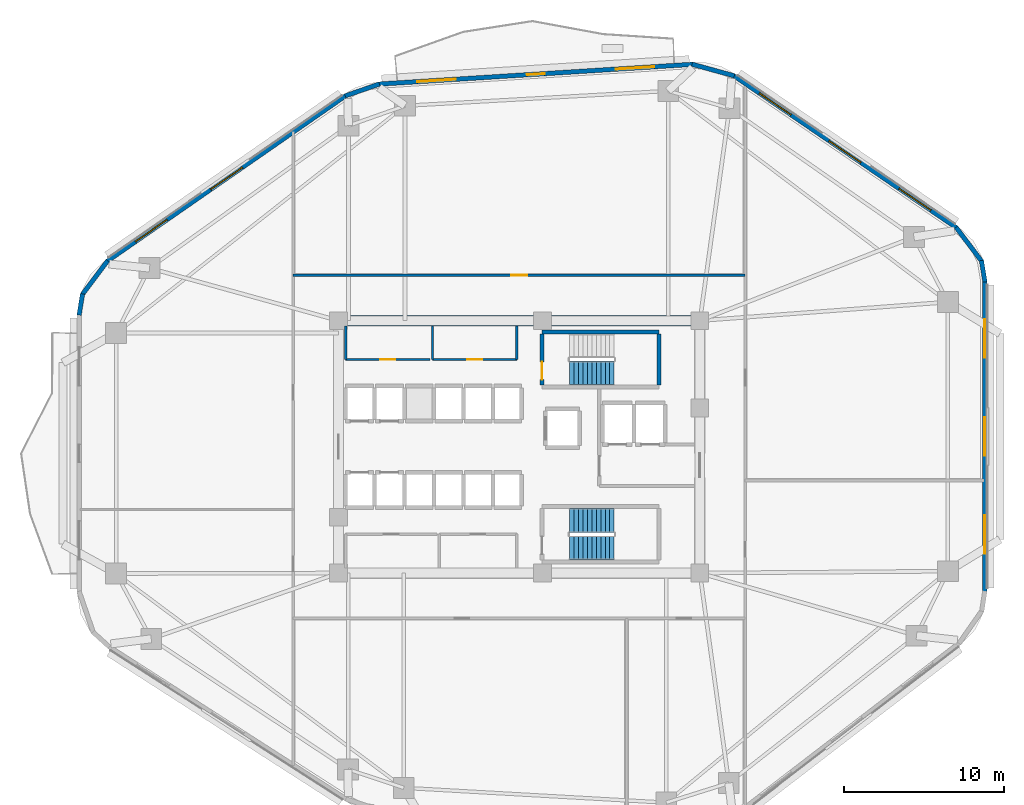
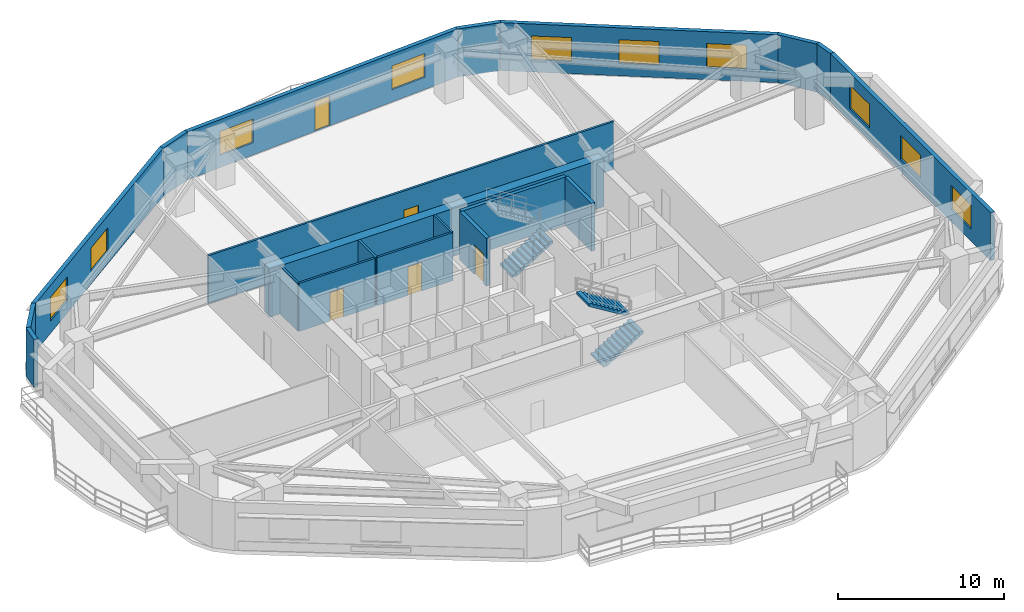
# One storey, part 5 of 11: 20 walls, 10 windows, 5 doors, 3 stair flights, 15 openings, 2 elements without a shape of their own.
"""IFC4 building model written with IfcOpenShell, lengths in metres."""

from ifc_helpers import new_model, si_unit, direction, frame, frame_2d, origin, place, context, subcontext, project, spatial, polyline, rectangle, outline, extrude, material, layer, layer_set, type_object, element, fill, aggregate, save


model = new_model("IFC4")

# Units and contexts
model_context = context("Model", 3, precision=1e-05, world=origin(), true_north=direction((0.0, 1.0)))
body_context = subcontext(model_context, "Body", "Model", "MODEL_VIEW")
ifc_project = project(units=[si_unit("LENGTHUNIT", "METRE"), si_unit("AREAUNIT", "SQUARE_METRE"), si_unit("VOLUMEUNIT", "CUBIC_METRE"), si_unit("PLANEANGLEUNIT", "RADIAN"), si_unit("MASSUNIT", "GRAM", prefix="KILO")], contexts=[model_context])

# Site, building, storey
site_placement = place(None, origin())
site = spatial("IfcSite", under=ifc_project, at=site_placement, CompositionType="ELEMENT")
building_placement = place(site_placement, origin())
building = spatial("IfcBuilding", under=site, at=building_placement, Name="Zulverin Broadcast Headquarters", CompositionType="ELEMENT")
storey_placement = place(building_placement, frame((0.0, 0.0, 28.800048828125)))
storey = spatial("IfcBuildingStorey", under=building, at=storey_placement, Name="L06", CompositionType="ELEMENT", Elevation=28.800048828125)

# Wall
ifc_material_1 = material(Name="Concrete C60/75", Category="concrete")
ifc_layer_1 = layer(ifc_material_1, 0.64990234375, Name="Concrete C60/75", Category="concrete")
ifc_layer_set_1 = layer_set([ifc_layer_1], Name="Concrete C60/75")
wall_type_1 = type_object("IfcWallType", Name="WL-CORE-650", PredefinedType="SHEAR", material=ifc_layer_set_1)
wall_1_placement = place(storey_placement, frame((25.39990234375, 33.074951171875, 0.0), z_axis=(0.0, 0.0, 1.0), x_axis=(1.0, 0.0, 0.0)))
element("IfcWall", 1, at=wall_1_placement, inside=storey, type_object=wall_type_1, Name="L06 Core North Shear Wall", PredefinedType="SHEAR", context=body_context, shape_type="SweptSolid", body=[
    extrude(rectangle(XDim=23.2001953125, YDim=0.64990234375, at=frame_2d((11.60009765625, 0.0))), origin(), (0.0, 0.0, 1.0), 3.52490234375),
])

# Wall, openings, windows
ifc_material_2 = material(Name="Insulated pale-metal clad concrete spandrel C40/50", Category="concrete")
ifc_layer_2 = layer(ifc_material_2, 0.280029296875, Name="Insulated pale-metal clad concrete spandrel C40/50", Category="concrete")
ifc_layer_set_2 = layer_set([ifc_layer_2], Name="Insulated pale-metal clad concrete spandrel C40/50")
wall_type_2 = type_object("IfcWallType", Name="WL-EXT-280", PredefinedType="STANDARD", material=ifc_layer_set_2)
wall_2_placement = place(storey_placement, frame((66.06005859375, 16.183349609375, 0.0), z_axis=(0.0, 0.0, 1.0), x_axis=(0.0, 1.0, 0.0)))
wall_2 = element("IfcWall", 2, at=wall_2_placement, inside=storey, type_object=wall_type_2, Name="L06 Pale-Metal Clad Spandrel Wall 3", PredefinedType="STANDARD", context=body_context, shape_type="SweptSolid", body=[
    extrude(rectangle(XDim=19.3310546875, YDim=0.280029296875, at=frame_2d((9.66552734375, 0.0))), origin(), (0.0, 0.0, 1.0), 3.52490234375),
])
opening_1_placement = place(wall_2_placement, frame((2.355224609375, 0.0, 0.89990234375)))
opening_1 = element("IfcOpeningElement", 3, at=opening_1_placement, cuts=wall_2, Name="Opening W-L06-E31", PredefinedType="OPENING", context=body_context, shape_type="SweptSolid", body=[
    extrude(rectangle(XDim=2.39990234375, YDim=1.75, at=frame_2d((1.199951171875, 0.875))), frame((0.0, 0.14990234375, 0.0), z_axis=(0.0, -1.0, 0.0), x_axis=(1.0, 0.0, 0.0)), (0.0, 0.0, 1.0), 0.300048828125),
])
opening_2_placement = place(wall_2_placement, frame((8.465576171875, 0.0, 0.89990234375)))
opening_2 = element("IfcOpeningElement", 4, at=opening_2_placement, cuts=wall_2, Name="Opening W-L06-E32", PredefinedType="OPENING", context=body_context, shape_type="SweptSolid", body=[
    extrude(rectangle(XDim=2.39990234375, YDim=1.75, at=frame_2d((1.199951171875, 0.875))), frame((0.0, 0.14990234375, 0.0), z_axis=(0.0, -1.0, 0.0), x_axis=(1.0, 0.0, 0.0)), (0.0, 0.0, 1.0), 0.300048828125),
])
opening_3_placement = place(wall_2_placement, frame((14.575927734375, 0.0, 0.89990234375)))
opening_3 = element("IfcOpeningElement", 5, at=opening_3_placement, cuts=wall_2, Name="Opening W-L06-E33", PredefinedType="OPENING", context=body_context, shape_type="SweptSolid", body=[
    extrude(rectangle(XDim=2.39990234375, YDim=1.75, at=frame_2d((1.199951171875, 0.875))), frame((0.0, 0.14990234375, 0.0), z_axis=(0.0, -1.0, 0.0), x_axis=(1.0, 0.0, 0.0)), (0.0, 0.0, 1.0), 0.300048828125),
])
ifc_material_3 = material(Name="Pale anodized aluminium frame with solar-control low-E double glazing", Category="aluminium")
window_type = type_object("IfcWindowType", Name="WIN-RIB-2400", PartitioningType="SINGLE_PANEL", PredefinedType="WINDOW", material=ifc_material_3)
window_1_placement = place(opening_1_placement, origin())
window_1 = element("IfcWindow", 6, at=window_1_placement, inside=storey, type_object=window_type, Name="L06 Ribbon Glazing Window 3 1", OverallHeight=1.75, OverallWidth=2.39990234375, PartitioningType="SINGLE_PANEL", PredefinedType="WINDOW", context=body_context, shape_type="SweptSolid", body=[
    extrude(rectangle(XDim=2.39990234375, YDim=1.75, at=frame_2d((1.199951171875, 0.875))), frame((0.0, 0.030029296875, 0.0), z_axis=(0.0, -1.0, 0.0), x_axis=(1.0, 0.0, 0.0)), (0.0, 0.0, 1.0), 0.06005859375),
])
fill(opening_1, window_1)
window_2_placement = place(opening_2_placement, origin())
window_2 = element("IfcWindow", 7, at=window_2_placement, inside=storey, type_object=window_type, Name="L06 Ribbon Glazing Window 3 2", OverallHeight=1.75, OverallWidth=2.39990234375, PartitioningType="SINGLE_PANEL", PredefinedType="WINDOW", context=body_context, shape_type="SweptSolid", body=[
    extrude(rectangle(XDim=2.39990234375, YDim=1.75, at=frame_2d((1.199951171875, 0.875))), frame((0.0, 0.030029296875, 0.0), z_axis=(0.0, -1.0, 0.0), x_axis=(1.0, 0.0, 0.0)), (0.0, 0.0, 1.0), 0.06005859375),
])
fill(opening_2, window_2)
window_3_placement = place(opening_3_placement, origin())
window_3 = element("IfcWindow", 8, at=window_3_placement, inside=storey, type_object=window_type, Name="L06 Ribbon Glazing Window 3 3", OverallHeight=1.75, OverallWidth=2.39990234375, PartitioningType="SINGLE_PANEL", PredefinedType="WINDOW", context=body_context, shape_type="SweptSolid", body=[
    extrude(rectangle(XDim=2.39990234375, YDim=1.75, at=frame_2d((1.199951171875, 0.875))), frame((0.0, 0.030029296875, 0.0), z_axis=(0.0, -1.0, 0.0), x_axis=(1.0, 0.0, 0.0)), (0.0, 0.0, 1.0), 0.06005859375),
])
fill(opening_3, window_3)

wall_3_placement = place(storey_placement, frame((64.289794921875, 38.8671875, 0.0), z_axis=(0.0, 0.0, 1.0), x_axis=(-0.825755550159, 0.564028165416, 0.0)))
wall_3 = element("IfcWall", 9, at=wall_3_placement, inside=storey, type_object=wall_type_2, Name="L06 Pale-Metal Clad Spandrel Wall 4", PredefinedType="STANDARD", context=body_context, shape_type="SweptSolid", body=[
    extrude(rectangle(XDim=16.848388671875, YDim=0.280029296875, at=frame_2d((8.42431640625, 0.0))), origin(), (0.0, 0.0, 1.0), 3.52490234375),
])
opening_4_placement = place(wall_3_placement, frame((1.94140625, 0.0, 0.89990234375)))
opening_4 = element("IfcOpeningElement", 10, at=opening_4_placement, cuts=wall_3, Name="Opening W-L06-E41", PredefinedType="OPENING", context=body_context, shape_type="SweptSolid", body=[
    extrude(rectangle(XDim=2.39990234375, YDim=1.75, at=frame_2d((1.199951171875, 0.875))), frame((0.0, 0.14990234375, 0.0), z_axis=(0.0, -1.0, 0.0), x_axis=(1.0, 0.0, 0.0)), (0.0, 0.0, 1.0), 0.300048828125),
])
opening_5_placement = place(wall_3_placement, frame((7.22412109375, 0.0, 0.89990234375)))
opening_5 = element("IfcOpeningElement", 11, at=opening_5_placement, cuts=wall_3, Name="Opening W-L06-E42", PredefinedType="OPENING", context=body_context, shape_type="SweptSolid", body=[
    extrude(rectangle(XDim=2.39990234375, YDim=1.75, at=frame_2d((1.199951171875, 0.875))), frame((0.0, 0.14990234375, 0.0), z_axis=(0.0, -1.0, 0.0), x_axis=(1.0, 0.0, 0.0)), (0.0, 0.0, 1.0), 0.300048828125),
])
opening_6_placement = place(wall_3_placement, frame((12.5068359375, 0.0, 0.89990234375)))
opening_6 = element("IfcOpeningElement", 12, at=opening_6_placement, cuts=wall_3, Name="Opening W-L06-E43", PredefinedType="OPENING", context=body_context, shape_type="SweptSolid", body=[
    extrude(rectangle(XDim=2.39990234375, YDim=1.75, at=frame_2d((1.199951171875, 0.875))), frame((0.0, 0.14990234375, 0.0), z_axis=(0.0, -1.0, 0.0), x_axis=(1.0, 0.0, 0.0)), (0.0, 0.0, 1.0), 0.300048828125),
])
window_4_placement = place(opening_4_placement, origin())
window_4 = element("IfcWindow", 13, at=window_4_placement, inside=storey, type_object=window_type, Name="L06 Ribbon Glazing Window 4 1", OverallHeight=1.75, OverallWidth=2.39990234375, PartitioningType="SINGLE_PANEL", PredefinedType="WINDOW", context=body_context, shape_type="SweptSolid", body=[
    extrude(rectangle(XDim=2.39990234375, YDim=1.75, at=frame_2d((1.199951171875, 0.875))), frame((0.0, 0.030029296875, 0.0), z_axis=(0.0, -1.0, 0.0), x_axis=(1.0, 0.0, 0.0)), (0.0, 0.0, 1.0), 0.06005859375),
])
fill(opening_4, window_4)
window_5_placement = place(opening_5_placement, origin())
window_5 = element("IfcWindow", 14, at=window_5_placement, inside=storey, type_object=window_type, Name="L06 Ribbon Glazing Window 4 2", OverallHeight=1.75, OverallWidth=2.39990234375, PartitioningType="SINGLE_PANEL", PredefinedType="WINDOW", context=body_context, shape_type="SweptSolid", body=[
    extrude(rectangle(XDim=2.39990234375, YDim=1.75, at=frame_2d((1.199951171875, 0.875))), frame((0.0, 0.030029296875, 0.0), z_axis=(0.0, -1.0, 0.0), x_axis=(1.0, 0.0, 0.0)), (0.0, 0.0, 1.0), 0.06005859375),
])
fill(opening_5, window_5)
window_6_placement = place(opening_6_placement, origin())
window_6 = element("IfcWindow", 15, at=window_6_placement, inside=storey, type_object=window_type, Name="L06 Ribbon Glazing Window 4 3", OverallHeight=1.75, OverallWidth=2.39990234375, PartitioningType="SINGLE_PANEL", PredefinedType="WINDOW", context=body_context, shape_type="SweptSolid", body=[
    extrude(rectangle(XDim=2.39990234375, YDim=1.75, at=frame_2d((1.199951171875, 0.875))), frame((0.0, 0.030029296875, 0.0), z_axis=(0.0, -1.0, 0.0), x_axis=(1.0, 0.0, 0.0)), (0.0, 0.0, 1.0), 0.06005859375),
])
fill(opening_6, window_6)

# Wall, openings, door, windows
wall_4_placement = place(storey_placement, frame((47.831787109375, 49.0693359375, 0.0), z_axis=(0.0, 0.0, 1.0), x_axis=(-0.998017725054, -0.062933460723, 0.0)))
wall_4 = element("IfcWall", 16, at=wall_4_placement, inside=storey, type_object=wall_type_2, Name="L06 Pale-Metal Clad Spandrel Wall 5", PredefinedType="STANDARD", context=body_context, shape_type="SweptSolid", body=[
    extrude(rectangle(XDim=19.62939453125, YDim=0.280029296875, at=frame_2d((9.814697265625, 0.0))), origin(), (0.0, 0.0, 1.0), 3.52490234375),
])
opening_7_placement = place(wall_4_placement, frame((9.264892578125, 0.0, 0.0)))
opening_7 = element("IfcOpeningElement", 17, at=opening_7_placement, cuts=wall_4, Name="Opening D-L06-TR5", PredefinedType="OPENING", context=body_context, shape_type="SweptSolid", body=[
    extrude(rectangle(XDim=1.10009765625, YDim=2.199951171875, at=frame_2d((0.550048828125, 1.10009765625))), frame((0.0, 0.14990234375, 0.0), z_axis=(0.0, -1.0, 0.0), x_axis=(1.0, 0.0, 0.0)), (0.0, 0.0, 1.0), 0.300048828125),
])
opening_8_placement = place(wall_4_placement, frame((2.40478515625, 0.0, 0.89990234375)))
opening_8 = element("IfcOpeningElement", 18, at=opening_8_placement, cuts=wall_4, Name="Opening W-L06-E51", PredefinedType="OPENING", context=body_context, shape_type="SweptSolid", body=[
    extrude(rectangle(XDim=2.39990234375, YDim=1.75, at=frame_2d((1.199951171875, 0.875))), frame((0.0, 0.14990234375, 0.0), z_axis=(0.0, -1.0, 0.0), x_axis=(1.0, 0.0, 0.0)), (0.0, 0.0, 1.0), 0.300048828125),
])
opening_9_placement = place(wall_4_placement, frame((14.82470703125, 0.0, 0.89990234375)))
opening_9 = element("IfcOpeningElement", 19, at=opening_9_placement, cuts=wall_4, Name="Opening W-L06-E52", PredefinedType="OPENING", context=body_context, shape_type="SweptSolid", body=[
    extrude(rectangle(XDim=2.39990234375, YDim=1.75, at=frame_2d((1.199951171875, 0.875))), frame((0.0, 0.14990234375, 0.0), z_axis=(0.0, -1.0, 0.0), x_axis=(1.0, 0.0, 0.0)), (0.0, 0.0, 1.0), 0.300048828125),
])
ifc_material_4 = material(Name="Thermally broken aluminium glazed", Category="aluminium")
door_type_1 = type_object("IfcDoorType", Name="DR-TERR-1100", OperationType="SINGLE_SWING_RIGHT", PredefinedType="DOOR", material=ifc_material_4)
door_1_placement = place(opening_7_placement, origin())
door_1 = element("IfcDoor", 20, at=door_1_placement, inside=storey, type_object=door_type_1, Name="L06 Planted Terrace Glazed Access Door 5", OperationType="SINGLE_SWING_RIGHT", OverallHeight=2.199951171875, OverallWidth=1.10009765625, PredefinedType="DOOR", context=body_context, shape_type="SweptSolid", body=[
    extrude(rectangle(XDim=1.10009765625, YDim=2.199951171875, at=frame_2d((0.550048828125, 1.10009765625))), frame((0.0, 0.02490234375, 0.0), z_axis=(0.0, -1.0, 0.0), x_axis=(1.0, 0.0, 0.0)), (0.0, 0.0, 1.0), 0.050048828125),
])
fill(opening_7, door_1)
window_7_placement = place(opening_8_placement, origin())
window_7 = element("IfcWindow", 21, at=window_7_placement, inside=storey, type_object=window_type, Name="L06 Ribbon Glazing Window 5 1", OverallHeight=1.75, OverallWidth=2.39990234375, PartitioningType="SINGLE_PANEL", PredefinedType="WINDOW", context=body_context, shape_type="SweptSolid", body=[
    extrude(rectangle(XDim=2.39990234375, YDim=1.75, at=frame_2d((1.199951171875, 0.875))), frame((0.0, 0.030029296875, 0.0), z_axis=(0.0, -1.0, 0.0), x_axis=(1.0, 0.0, 0.0)), (0.0, 0.0, 1.0), 0.06005859375),
])
fill(opening_8, window_7)
window_8_placement = place(opening_9_placement, origin())
window_8 = element("IfcWindow", 22, at=window_8_placement, inside=storey, type_object=window_type, Name="L06 Ribbon Glazing Window 5 2", OverallHeight=1.75, OverallWidth=2.39990234375, PartitioningType="SINGLE_PANEL", PredefinedType="WINDOW", context=body_context, shape_type="SweptSolid", body=[
    extrude(rectangle(XDim=2.39990234375, YDim=1.75, at=frame_2d((1.199951171875, 0.875))), frame((0.0, 0.030029296875, 0.0), z_axis=(0.0, -1.0, 0.0), x_axis=(1.0, 0.0, 0.0)), (0.0, 0.0, 1.0), 0.06005859375),
])
fill(opening_9, window_8)

# Wall, openings, windows
wall_5_placement = place(storey_placement, frame((26.181884765625, 47.11767578125, 0.0), z_axis=(0.0, 0.0, 1.0), x_axis=(-0.821547956627, -0.570139417127, 0.0)))
wall_5 = element("IfcWall", 23, at=wall_5_placement, inside=storey, type_object=wall_type_2, Name="L06 Pale-Metal Clad Spandrel Wall 6", PredefinedType="STANDARD", context=body_context, shape_type="SweptSolid", body=[
    extrude(rectangle(XDim=18.13232421875, YDim=0.280029296875, at=frame_2d((9.066162109375, 0.0))), origin(), (0.0, 0.0, 1.0), 3.52490234375),
])
opening_10_placement = place(wall_5_placement, frame((7.8662109375, 0.0, 0.89990234375)))
opening_10 = element("IfcOpeningElement", 24, at=opening_10_placement, cuts=wall_5, Name="Opening W-L06-E61", PredefinedType="OPENING", context=body_context, shape_type="SweptSolid", body=[
    extrude(rectangle(XDim=2.39990234375, YDim=1.75, at=frame_2d((1.199951171875, 0.875))), frame((0.0, 0.14990234375, 0.0), z_axis=(0.0, -1.0, 0.0), x_axis=(1.0, 0.0, 0.0)), (0.0, 0.0, 1.0), 0.300048828125),
])
opening_11_placement = place(wall_5_placement, frame((13.576904296875, 0.0, 0.89990234375)))
opening_11 = element("IfcOpeningElement", 25, at=opening_11_placement, cuts=wall_5, Name="Opening W-L06-E62", PredefinedType="OPENING", context=body_context, shape_type="SweptSolid", body=[
    extrude(rectangle(XDim=2.39990234375, YDim=1.75, at=frame_2d((1.199951171875, 0.875))), frame((0.0, 0.14990234375, 0.0), z_axis=(0.0, -1.0, 0.0), x_axis=(1.0, 0.0, 0.0)), (0.0, 0.0, 1.0), 0.300048828125),
])
window_9_placement = place(opening_10_placement, origin())
window_9 = element("IfcWindow", 26, at=window_9_placement, inside=storey, type_object=window_type, Name="L06 Ribbon Glazing Window 6 1", OverallHeight=1.75, OverallWidth=2.39990234375, PartitioningType="SINGLE_PANEL", PredefinedType="WINDOW", context=body_context, shape_type="SweptSolid", body=[
    extrude(rectangle(XDim=2.39990234375, YDim=1.75, at=frame_2d((1.199951171875, 0.875))), frame((0.0, 0.030029296875, 0.0), z_axis=(0.0, -1.0, 0.0), x_axis=(1.0, 0.0, 0.0)), (0.0, 0.0, 1.0), 0.06005859375),
])
fill(opening_10, window_9)
window_10_placement = place(opening_11_placement, origin())
window_10 = element("IfcWindow", 27, at=window_10_placement, inside=storey, type_object=window_type, Name="L06 Ribbon Glazing Window 6 2", OverallHeight=1.75, OverallWidth=2.39990234375, PartitioningType="SINGLE_PANEL", PredefinedType="WINDOW", context=body_context, shape_type="SweptSolid", body=[
    extrude(rectangle(XDim=2.39990234375, YDim=1.75, at=frame_2d((1.199951171875, 0.875))), frame((0.0, 0.030029296875, 0.0), z_axis=(0.0, -1.0, 0.0), x_axis=(1.0, 0.0, 0.0)), (0.0, 0.0, 1.0), 0.06005859375),
])
fill(opening_11, window_10)

# Walls
wall_6_placement = place(storey_placement, frame((66.061767578125, 35.491943359375, 0.0), z_axis=(0.0, 0.0, 1.0), x_axis=(-0.161182073582, 0.986924687682, 0.0)))
element("IfcWall", 28, at=wall_6_placement, inside=storey, type_object=wall_type_2, Name="L06 Wind-Shaped Corner Spandrel Wall 3-1", PredefinedType="STANDARD", context=body_context, shape_type="SweptSolid", body=[
    extrude(rectangle(XDim=1.354248046875, YDim=0.280029296875, at=frame_2d((0.67724609375, 0.0))), origin(), (0.0, 0.0, 1.0), 3.52490234375),
])
wall_7_placement = place(storey_placement, frame((65.8701171875, 36.7666015625, 0.0), z_axis=(0.0, 0.0, 1.0), x_axis=(-0.603370463754, 0.797461023166, 0.0)))
element("IfcWall", 29, at=wall_7_placement, inside=storey, type_object=wall_type_2, Name="L06 Wind-Shaped Corner Spandrel Wall 3-2", PredefinedType="STANDARD", context=body_context, shape_type="SweptSolid", body=[
    extrude(rectangle(XDim=2.6728515625, YDim=0.280029296875, at=frame_2d((1.33642578125, 0.0))), origin(), (0.0, 0.0, 1.0), 3.52490234375),
])
wall_8_placement = place(storey_placement, frame((50.419189453125, 48.3505859375, 0.0), z_axis=(0.0, 0.0, 1.0), x_axis=(-0.964254516967, 0.264977784933, 0.0)))
element("IfcWall", 30, at=wall_8_placement, inside=storey, type_object=wall_type_2, Name="L06 Wind-Shaped Corner Spandrel Wall 4-1", PredefinedType="STANDARD", context=body_context, shape_type="SweptSolid", body=[
    extrude(rectangle(XDim=2.73095703125, YDim=0.280029296875, at=frame_2d((1.365478515625, 0.0))), origin(), (0.0, 0.0, 1.0), 3.52490234375),
])
wall_9_placement = place(storey_placement, frame((28.2783203125, 47.841552734375, 0.0), z_axis=(0.0, 0.0, 1.0), x_axis=(-0.9444559001, -0.328638179106, 0.0)))
element("IfcWall", 31, at=wall_9_placement, inside=storey, type_object=wall_type_2, Name="L06 Wind-Shaped Corner Spandrel Wall 5-1", PredefinedType="STANDARD", context=body_context, shape_type="SweptSolid", body=[
    extrude(rectangle(XDim=2.25537109375, YDim=0.280029296875, at=frame_2d((1.127685546875, 0.0))), origin(), (0.0, 0.0, 1.0), 3.52490234375),
])
wall_10_placement = place(storey_placement, frame((11.317626953125, 36.81103515625, 0.0), z_axis=(0.0, 0.0, 1.0), x_axis=(-0.599455152629, -0.800408345775, 0.0)))
element("IfcWall", 32, at=wall_10_placement, inside=storey, type_object=wall_type_2, Name="L06 Wind-Shaped Corner Spandrel Wall 6-1", PredefinedType="STANDARD", context=body_context, shape_type="SweptSolid", body=[
    extrude(rectangle(XDim=2.6533203125, YDim=0.280029296875, at=frame_2d((1.32666015625, 0.0))), origin(), (0.0, 0.0, 1.0), 3.52490234375),
])
wall_11_placement = place(storey_placement, frame((9.753173828125, 34.748779296875, 0.0), z_axis=(0.0, 0.0, 1.0), x_axis=(-0.160037671962, -0.987110907423, 0.0)))
element("IfcWall", 33, at=wall_11_placement, inside=storey, type_object=wall_type_2, Name="L06 Wind-Shaped Corner Spandrel Wall 6-2", PredefinedType="STANDARD", context=body_context, shape_type="SweptSolid", body=[
    extrude(rectangle(XDim=1.343994140625, YDim=0.280029296875, at=frame_2d((0.671875, 0.0))), origin(), (0.0, 0.0, 1.0), 3.52490234375),
])

# Wall, opening, door
ifc_material_5 = material(Name="Fire-rated gypsum stud partition", Category="gypsum")
ifc_layer_3 = layer(ifc_material_5, 0.14990234375, Name="Fire-rated gypsum stud partition", Category="gypsum")
ifc_layer_set_3 = layer_set([ifc_layer_3], Name="Fire-rated gypsum stud partition")
wall_type_3 = type_object("IfcWallType", Name="WL-PART-150", PredefinedType="PARTITIONING", material=ifc_layer_set_3)
wall_12_placement = place(storey_placement, frame((26.169921875, 30.64990234375, 0.0), z_axis=(0.0, 0.0, 1.0), x_axis=(1.0, 0.0, 0.0)))
wall_12 = element("IfcWall", 34, at=wall_12_placement, inside=storey, type_object=wall_type_3, Name="L06 Core Male WC Front Wall", PredefinedType="PARTITIONING", context=body_context, shape_type="SweptSolid", body=[
    extrude(rectangle(XDim=5.260009765625, YDim=0.14990234375, at=frame_2d((2.6298828125, 0.0))), origin(), (0.0, 0.0, 1.0), 3.52490234375),
])
opening_12_placement = place(wall_12_placement, frame((2.155029296875, 0.0, 0.0)))
opening_12 = element("IfcOpeningElement", 35, at=opening_12_placement, cuts=wall_12, Name="Opening D-L06-NC1", PredefinedType="OPENING", context=body_context, shape_type="SweptSolid", body=[
    extrude(rectangle(XDim=0.949951171875, YDim=2.10009765625, at=frame_2d((0.47509765625, 1.050048828125))), frame((0.0, 0.0849609375, 0.0), z_axis=(0.0, -1.0, 0.0), x_axis=(1.0, 0.0, 0.0)), (0.0, 0.0, 1.0), 0.169921875),
])
ifc_material_6 = material(Name="Fire-rated moisture-resistant laminate leaf", Category="wood")
door_type_2 = type_object("IfcDoorType", Name="DR-WC-950", OperationType="SINGLE_SWING_LEFT", PredefinedType="DOOR", material=ifc_material_6)
door_2_placement = place(opening_12_placement, origin())
door_2 = element("IfcDoor", 36, at=door_2_placement, inside=storey, type_object=door_type_2, Name="L06 Male WC Door", OperationType="SINGLE_SWING_LEFT", OverallHeight=2.10009765625, OverallWidth=0.949951171875, PredefinedType="DOOR", context=body_context, shape_type="SweptSolid", body=[
    extrude(rectangle(XDim=0.949951171875, YDim=2.10009765625, at=frame_2d((0.47509765625, 1.050048828125))), frame((0.0, 0.02490234375, 0.0), z_axis=(0.0, -1.0, 0.0), x_axis=(1.0, 0.0, 0.0)), (0.0, 0.0, 1.0), 0.050048828125),
])
fill(opening_12, door_2)

# Wall
wall_13_placement = place(storey_placement, frame((26.169921875, 30.64990234375, 0.0), z_axis=(0.0, 0.0, 1.0), x_axis=(0.0, 1.0, 0.0)))
element("IfcWall", 37, at=wall_13_placement, inside=storey, type_object=wall_type_3, Name="L06 Core Male WC West Wall", PredefinedType="PARTITIONING", context=body_context, shape_type="SweptSolid", body=[
    extrude(rectangle(XDim=2.10009765625, YDim=0.14990234375, at=frame_2d((1.050048828125, 0.0))), origin(), (0.0, 0.0, 1.0), 3.52490234375),
])

# Wall, opening, door
wall_14_placement = place(storey_placement, frame((31.590087890625, 30.64990234375, 0.0), z_axis=(0.0, 0.0, 1.0), x_axis=(1.0, 0.0, 0.0)))
wall_14 = element("IfcWall", 38, at=wall_14_placement, inside=storey, type_object=wall_type_3, Name="L06 Core Accessible WC Front Wall", PredefinedType="PARTITIONING", context=body_context, shape_type="SweptSolid", body=[
    extrude(rectangle(XDim=5.260009765625, YDim=0.14990234375, at=frame_2d((2.6298828125, 0.0))), origin(), (0.0, 0.0, 1.0), 3.52490234375),
])
opening_13_placement = place(wall_14_placement, frame((2.155029296875, 0.0, 0.0)))
opening_13 = element("IfcOpeningElement", 39, at=opening_13_placement, cuts=wall_14, Name="Opening D-L06-NC2", PredefinedType="OPENING", context=body_context, shape_type="SweptSolid", body=[
    extrude(rectangle(XDim=0.949951171875, YDim=2.10009765625, at=frame_2d((0.47509765625, 1.050048828125))), frame((0.0, 0.0849609375, 0.0), z_axis=(0.0, -1.0, 0.0), x_axis=(1.0, 0.0, 0.0)), (0.0, 0.0, 1.0), 0.169921875),
])
door_3_placement = place(opening_13_placement, origin())
door_3 = element("IfcDoor", 40, at=door_3_placement, inside=storey, type_object=door_type_2, Name="L06 Accessible WC Door", OperationType="SINGLE_SWING_RIGHT", OverallHeight=2.10009765625, OverallWidth=0.949951171875, PredefinedType="DOOR", context=body_context, shape_type="SweptSolid", body=[
    extrude(rectangle(XDim=0.949951171875, YDim=2.10009765625, at=frame_2d((0.47509765625, 1.050048828125))), frame((0.0, 0.02490234375, 0.0), z_axis=(0.0, -1.0, 0.0), x_axis=(1.0, 0.0, 0.0)), (0.0, 0.0, 1.0), 0.050048828125),
])
fill(opening_13, door_3)

# Walls
for number, where, z_axis, x_axis, name in (
    (41, (31.590087890625, 30.64990234375, 0.0), (0.0, 0.0, 1.0), (0.0, 1.0, 0.0), "L06 Core Accessible WC West Wall"),
    (42, (36.85009765625, 30.64990234375, 0.0), (0.0, 0.0, 1.0), (0.0, 1.0, 0.0), "L06 Core Accessible WC East Wall"),
):
    element("IfcWall", number, at=place(storey_placement, frame(where, z_axis=z_axis, x_axis=x_axis)), inside=storey, type_object=wall_type_3, Name=name, PredefinedType="PARTITIONING", context=body_context, shape_type="SweptSolid", body=[
        extrude(rectangle(XDim=2.10009765625, YDim=0.14990234375, at=frame_2d((1.050048828125, 0.0))), origin(), (0.0, 0.0, 1.0), 3.52490234375),
    ])

# Wall, opening, door
wall_15_placement = place(storey_placement, frame((22.89990234375, 35.89990234375, 0.0), z_axis=(0.0, 0.0, 1.0), x_axis=(1.0, 0.0, 0.0)))
wall_15 = element("IfcWall", 43, at=wall_15_placement, inside=storey, type_object=wall_type_3, Name="L06 Gallery Partition Wall CG-07", PredefinedType="PARTITIONING", context=body_context, shape_type="SweptSolid", body=[
    extrude(rectangle(XDim=28.2001953125, YDim=0.14990234375, at=frame_2d((14.10009765625, 0.0))), origin(), (0.0, 0.0, 1.0), 3.52490234375),
])
opening_14_placement = place(wall_15_placement, frame((13.60009765625, 0.0, 0.0)))
opening_14 = element("IfcOpeningElement", 44, at=opening_14_placement, cuts=wall_15, Name="Opening D-L06-01", PredefinedType="OPENING", context=body_context, shape_type="SweptSolid", body=[
    extrude(rectangle(XDim=1.0, YDim=2.1201171875, at=frame_2d((0.5, 1.06005859375))), frame((0.0, 0.0849609375, 0.0), z_axis=(0.0, -1.0, 0.0), x_axis=(1.0, 0.0, 0.0)), (0.0, 0.0, 1.0), 0.169921875),
])
ifc_material_7 = material(Name="Hardwood veneer acoustic leaf", Category="wood")
door_type_3 = type_object("IfcDoorType", Name="DR-OFF-1000", OperationType="SINGLE_SWING_LEFT", PredefinedType="DOOR", material=ifc_material_7)
door_4_placement = place(opening_14_placement, origin())
door_4 = element("IfcDoor", 45, at=door_4_placement, inside=storey, type_object=door_type_3, Name="L06 Open Media Workplace Door", OperationType="SINGLE_SWING_LEFT", OverallHeight=2.1201171875, OverallWidth=1.0, PredefinedType="DOOR", context=body_context, shape_type="SweptSolid", body=[
    extrude(rectangle(XDim=1.0, YDim=2.1201171875, at=frame_2d((0.5, 1.06005859375))), frame((0.0, 0.02490234375, 0.0), z_axis=(0.0, -1.0, 0.0), x_axis=(1.0, 0.0, 0.0)), (0.0, 0.0, 1.0), 0.050048828125),
])
fill(opening_14, door_4)

# Wall
ifc_material_8 = material(Name="Concrete C50/60", Category="concrete")
ifc_layer_4 = layer(ifc_material_8, 0.25, Name="Concrete C50/60", Category="concrete")
ifc_layer_set_4 = layer_set([ifc_layer_4], Name="Concrete C50/60")
wall_type_4 = type_object("IfcWallType", Name="WL-SHAFT-250", PredefinedType="SHEAR", material=ifc_layer_set_4)
wall_16_placement = place(storey_placement, frame((38.425048828125, 32.375, 0.0), z_axis=(0.0, 0.0, 1.0), x_axis=(1.0, 0.0, 0.0)))
element("IfcWall", 46, at=wall_16_placement, inside=storey, type_object=wall_type_4, Name="L06 ST-1 Enclosure Wall N", PredefinedType="SHEAR", context=body_context, shape_type="SweptSolid", body=[
    extrude(rectangle(XDim=7.300048828125, YDim=0.25, at=frame_2d((3.64990234375, 0.0))), origin(), (0.0, 0.0, 1.0), 3.52490234375),
])

# Wall, opening, door
wall_17_placement = place(storey_placement, frame((38.425048828125, 29.050048828125, 0.0), z_axis=(0.0, 0.0, 1.0), x_axis=(0.0, 1.0, 0.0)))
wall_17 = element("IfcWall", 47, at=wall_17_placement, inside=storey, type_object=wall_type_4, Name="L06 ST-1 Enclosure Wall W", PredefinedType="SHEAR", context=body_context, shape_type="SweptSolid", body=[
    extrude(rectangle(XDim=3.199951171875, YDim=0.25, at=frame_2d((1.60009765625, 0.0))), origin(), (0.0, 0.0, 1.0), 3.52490234375),
])
opening_15_placement = place(wall_17_placement, frame((0.35009765625, 0.0, 0.0)))
opening_15 = element("IfcOpeningElement", 48, at=opening_15_placement, cuts=wall_17, Name="Opening D-L06-ST-1", PredefinedType="OPENING", context=body_context, shape_type="SweptSolid", body=[
    extrude(rectangle(XDim=1.10009765625, YDim=2.14990234375, at=frame_2d((0.550048828125, 1.074951171875))), frame((0.0, 0.135009765625, 0.0), z_axis=(0.0, -1.0, 0.0), x_axis=(1.0, 0.0, 0.0)), (0.0, 0.0, 1.0), 0.27001953125),
])
ifc_material_9 = material(Name="Fire-rated steel leaf and frame", Category="steel")
door_type_4 = type_object("IfcDoorType", Name="DR-STAIR-1100", OperationType="SINGLE_SWING_LEFT", PredefinedType="DOOR", material=ifc_material_9)
door_5_placement = place(opening_15_placement, origin())
door_5 = element("IfcDoor", 49, at=door_5_placement, inside=storey, type_object=door_type_4, Name="L06 Exit Stair ST-1 Fire Door", OperationType="SINGLE_SWING_LEFT", OverallHeight=2.14990234375, OverallWidth=1.10009765625, PredefinedType="DOOR", context=body_context, shape_type="SweptSolid", body=[
    extrude(rectangle(XDim=1.10009765625, YDim=2.14990234375, at=frame_2d((0.550048828125, 1.074951171875))), frame((0.0, 0.02490234375, 0.0), z_axis=(0.0, -1.0, 0.0), x_axis=(1.0, 0.0, 0.0)), (0.0, 0.0, 1.0), 0.050048828125),
])
fill(opening_15, door_5)

# Wall
wall_18_placement = place(storey_placement, frame((45.72509765625, 29.050048828125, 0.0), z_axis=(0.0, 0.0, 1.0), x_axis=(0.0, 1.0, 0.0)))
element("IfcWall", 50, at=wall_18_placement, inside=storey, type_object=wall_type_4, Name="L06 ST-1 Enclosure Wall E", PredefinedType="SHEAR", context=body_context, shape_type="SweptSolid", body=[
    extrude(rectangle(XDim=3.199951171875, YDim=0.25, at=frame_2d((1.60009765625, 0.0))), origin(), (0.0, 0.0, 1.0), 3.52490234375),
])

# Stair, stair flight
ifc_material_10 = material(Name="Concrete C40/50", Category="concrete")
stair_type = type_object("IfcStairType", Name="ST-CORE-1500", PredefinedType="HALF_TURN_STAIR", material=ifc_material_10)
stair_1_placement = place(storey_placement, origin())
stair_1 = element("IfcStair", 51, at=stair_1_placement, inside=storey, type_object=stair_type, Name="L06 Core Exit Stair ST-1", PredefinedType="HALF_TURN_STAIR")
stair_flight_type = type_object("IfcStairFlightType", Name="SF-CORE-1500", PredefinedType="STRAIGHT", material=ifc_material_10)
stair_flight_1_placement = place(storey_placement, frame((40.1298828125, 29.800048828125, 0.0), z_axis=(0.0, 0.0, 1.0), x_axis=(1.0, 0.0, 0.0)))
stair_flight_1 = element("IfcStairFlight", 52, at=stair_flight_1_placement, type_object=stair_flight_type, Name="ST-1 flight 1", NumberOfRisers=11, NumberOfTreads=10, PredefinedType="STRAIGHT", RiserHeight=0.172727273, TreadLength=0.28, context=body_context, shape_type="SweptSolid", body=[
    extrude(outline(polyline([(0.0, 0.0), (0.0, 0.172607421875), (0.280029296875, 0.172607421875), (0.280029296875, 0.345458984375), (0.56005859375, 0.345458984375), (0.56005859375, 0.51806640625), (0.840087890625, 0.51806640625), (0.840087890625, 0.69091796875), (1.1201171875, 0.69091796875), (1.1201171875, 0.863525390625), (1.39990234375, 0.863525390625), (1.39990234375, 1.036376953125), (1.679931640625, 1.036376953125), (1.679931640625, 1.208984375), (1.9599609375, 1.208984375), (1.9599609375, 1.3818359375), (2.239990234375, 1.3818359375), (2.239990234375, 1.554443359375), (2.52001953125, 1.554443359375), (2.52001953125, 1.727294921875), (2.800048828125, 1.727294921875), (2.800048828125, 1.89990234375), (2.800048828125, 1.551025390625), (0.285400390625, 0.0), (0.0, 0.0)])), frame((0.0, 0.75, 0.0), z_axis=(0.0, -1.0, 0.0), x_axis=(1.0, 0.0, 0.0)), (0.0, 0.0, 1.0), 1.5),
])
aggregate(stair_1, [stair_flight_1])

# Stair, stair flights
stair_2_placement = place(storey_placement, origin())
stair_2 = element("IfcStair", 53, at=stair_2_placement, inside=storey, type_object=stair_type, Name="L06 Core Exit Stair ST-2", PredefinedType="HALF_TURN_STAIR")
stair_flight_2_placement = place(storey_placement, frame((40.1298828125, 18.89990234375, 0.0), z_axis=(0.0, 0.0, 1.0), x_axis=(1.0, 0.0, 0.0)))
stair_flight_2 = element("IfcStairFlight", 54, at=stair_flight_2_placement, type_object=stair_flight_type, Name="ST-2 flight 1", NumberOfRisers=11, NumberOfTreads=10, PredefinedType="STRAIGHT", RiserHeight=0.172727273, TreadLength=0.28, context=body_context, shape_type="SweptSolid", body=[
    extrude(outline(polyline([(0.0, 0.0), (0.0, 0.172607421875), (0.280029296875, 0.172607421875), (0.280029296875, 0.345458984375), (0.56005859375, 0.345458984375), (0.56005859375, 0.51806640625), (0.840087890625, 0.51806640625), (0.840087890625, 0.69091796875), (1.1201171875, 0.69091796875), (1.1201171875, 0.863525390625), (1.39990234375, 0.863525390625), (1.39990234375, 1.036376953125), (1.679931640625, 1.036376953125), (1.679931640625, 1.208984375), (1.9599609375, 1.208984375), (1.9599609375, 1.3818359375), (2.239990234375, 1.3818359375), (2.239990234375, 1.554443359375), (2.52001953125, 1.554443359375), (2.52001953125, 1.727294921875), (2.800048828125, 1.727294921875), (2.800048828125, 1.89990234375), (2.800048828125, 1.551025390625), (0.285400390625, 0.0), (0.0, 0.0)])), frame((0.0, 0.75, 0.0), z_axis=(0.0, -1.0, 0.0), x_axis=(1.0, 0.0, 0.0)), (0.0, 0.0, 1.0), 1.5),
])
stair_flight_3_placement = place(storey_placement, frame((42.929931640625, 20.60009765625, 1.89990234375), z_axis=(0.0, 0.0, 1.0), x_axis=(-1.0, 0.0, 0.0)))
stair_flight_3 = element("IfcStairFlight", 55, at=stair_flight_3_placement, type_object=stair_flight_type, Name="ST-2 flight 2", NumberOfRisers=11, NumberOfTreads=10, PredefinedType="STRAIGHT", RiserHeight=0.172727273, TreadLength=0.28, context=body_context, shape_type="SweptSolid", body=[
    extrude(outline(polyline([(0.0, 0.0), (0.0, 0.172607421875), (0.280029296875, 0.172607421875), (0.280029296875, 0.345458984375), (0.56005859375, 0.345458984375), (0.56005859375, 0.51806640625), (0.840087890625, 0.51806640625), (0.840087890625, 0.69091796875), (1.1201171875, 0.69091796875), (1.1201171875, 0.863525390625), (1.39990234375, 0.863525390625), (1.39990234375, 1.036376953125), (1.679931640625, 1.036376953125), (1.679931640625, 1.208984375), (1.9599609375, 1.208984375), (1.9599609375, 1.3818359375), (2.239990234375, 1.3818359375), (2.239990234375, 1.554443359375), (2.52001953125, 1.554443359375), (2.52001953125, 1.727294921875), (2.800048828125, 1.727294921875), (2.800048828125, 1.89990234375), (2.800048828125, 1.551025390625), (0.285400390625, 0.0), (0.0, 0.0)])), frame((0.0, 0.75, 0.0), z_axis=(0.0, -1.0, 0.0), x_axis=(1.0, 0.0, 0.0)), (0.0, 0.0, 1.0), 1.5),
])
aggregate(stair_2, [stair_flight_2, stair_flight_3])

save(model, "model.ifc")
